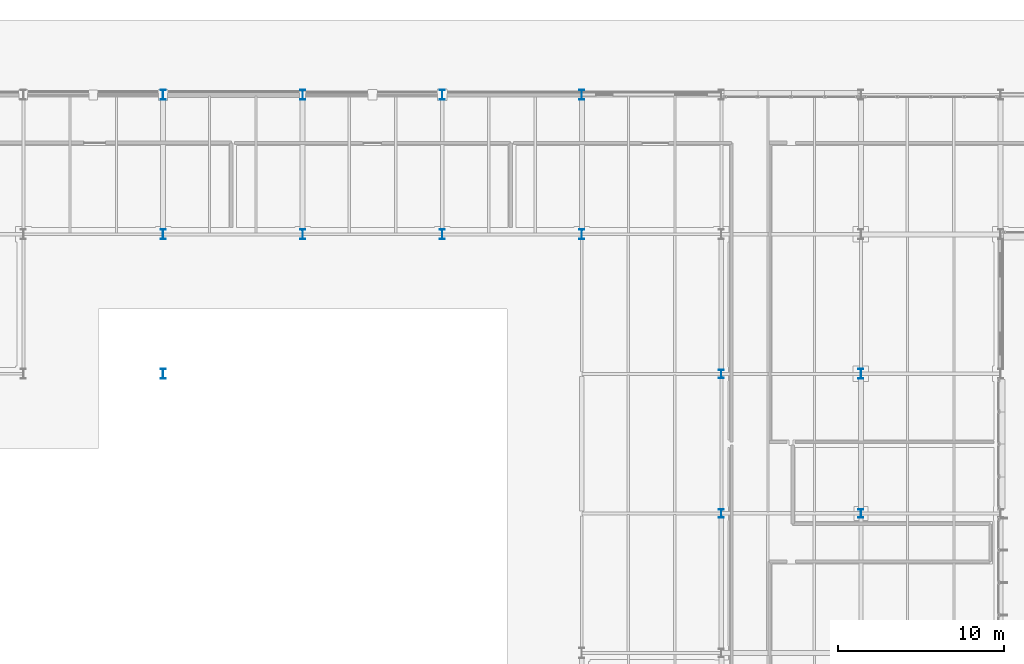
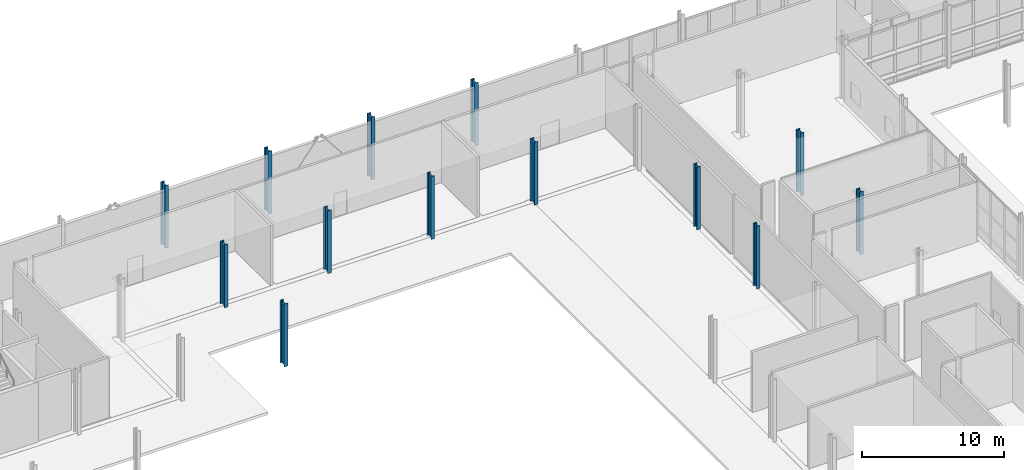
# One storey, part 12 of 124: 13 columns.
"""IFC4 building model written with IfcOpenShell, lengths in metres."""

from ifc_helpers import new_model, si_unit, direction, frame, origin, origin_2d, place, context, subcontext, project, spatial, i_section, extrude, material, material_profile, profile_set, type_object, element, save


model = new_model("IFC4")

# Units and contexts
model_context = context("Model", 3, precision=1e-05, world=origin(), true_north=direction((0.0, 1.0)))
body_context = subcontext(model_context, "Body", "Model", "MODEL_VIEW")
ifc_project = project(units=[si_unit("LENGTHUNIT", "METRE"), si_unit("AREAUNIT", "SQUARE_METRE"), si_unit("VOLUMEUNIT", "CUBIC_METRE"), si_unit("PLANEANGLEUNIT", "RADIAN"), si_unit("MASSUNIT", "GRAM", prefix="KILO")], contexts=[model_context])

# Site, building, storey
site_placement = place(None, origin())
site = spatial("IfcSite", under=ifc_project, at=site_placement, CompositionType="ELEMENT")
building_placement = place(site_placement, origin())
building = spatial("IfcBuilding", under=site, at=building_placement, Name="Mersafa Astral City Hall", CompositionType="ELEMENT")
storey_placement = place(building_placement, origin())
storey = spatial("IfcBuildingStorey", under=building, at=storey_placement, Name="L00", CompositionType="ELEMENT", Elevation=0.0)

# Columns
ifc_material = material(Name="Steel S355", Category="steel")
ifc_material_profile_1 = material_profile(ifc_material, i_section(OverallWidth=0.300048828125, OverallDepth=0.5, WebThickness=0.014404296875, FlangeThickness=0.028076171875, FilletRadius=0.027099609375, at=origin_2d()), Name="HEB 500")
ifc_profile_set_1 = profile_set([ifc_material_profile_1], Name="Steel S355")
column_type_1 = type_object("IfcColumnType", Name="STR-COL-HEB500", PredefinedType="COLUMN", material=ifc_profile_set_1)
for number, where, z_axis, x_axis, name in (
    (1, (100.800048828125, 100.800048828125, 0.0), (0.0, 0.0, 1.0), (1.0, 0.0, 0.0), "L00 Structural column G-12-12"),
    (2, (100.800048828125, 109.199951171875, 0.0), (0.0, 0.0, 1.0), (1.0, 0.0, 0.0), "L00 Structural column G-12-13"),
    (3, (109.199951171875, 100.800048828125, 0.0), (0.0, 0.0, 1.0), (1.0, 0.0, 0.0), "L00 Structural column G-13-12"),
):
    element("IfcColumn", number, at=place(storey_placement, frame(where, z_axis=z_axis, x_axis=x_axis)), inside=storey, type_object=column_type_1, Name=name, PredefinedType="COLUMN", context=body_context, shape_type="SweptSolid", body=[
        extrude(i_section(OverallWidth=0.300048828125, OverallDepth=0.5, WebThickness=0.014404296875, FlangeThickness=0.028076171875, FilletRadius=0.027099609375, at=origin_2d()), origin(), (0.0, 0.0, 1.0), 5.39990234375),
    ])
ifc_material_profile_2 = material_profile(ifc_material, i_section(OverallWidth=0.300048828125, OverallDepth=0.60009765625, WebThickness=0.015380859375, FlangeThickness=0.030029296875, FilletRadius=0.027099609375, at=origin_2d()), Name="HEB 600")
ifc_profile_set_2 = profile_set([ifc_material_profile_2], Name="Steel S355")
column_type_2 = type_object("IfcColumnType", Name="STR-COL-HEB600", PredefinedType="COLUMN", material=ifc_profile_set_2)
for number, where, z_axis, x_axis, name in (
    (4, (67.199951171875, 109.199951171875, 0.0), (0.0, 0.0, 1.0), (1.0, 0.0, 0.0), "L00 Structural column G-08-13"),
    (5, (67.199951171875, 117.60009765625, 0.0), (0.0, 0.0, 1.0), (1.0, 0.0, 0.0), "L00 Structural column G-08-14"),
    (6, (67.199951171875, 126.0, 0.0), (0.0, 0.0, 1.0), (1.0, 0.0, 0.0), "L00 Structural column G-08-15"),
    (7, (75.60009765625, 117.60009765625, 0.0), (0.0, 0.0, 1.0), (1.0, 0.0, 0.0), "L00 Structural column G-09-14"),
    (8, (75.60009765625, 126.0, 0.0), (0.0, 0.0, 1.0), (1.0, 0.0, 0.0), "L00 Structural column G-09-15"),
    (9, (84.0, 117.60009765625, 0.0), (0.0, 0.0, 1.0), (1.0, 0.0, 0.0), "L00 Structural column G-10-14"),
    (10, (84.0, 126.0, 0.0), (0.0, 0.0, 1.0), (1.0, 0.0, 0.0), "L00 Structural column G-10-15"),
    (11, (92.39990234375, 117.60009765625, 0.0), (0.0, 0.0, 1.0), (1.0, 0.0, 0.0), "L00 Structural column G-11-14"),
    (12, (92.39990234375, 126.0, 0.0), (0.0, 0.0, 1.0), (1.0, 0.0, 0.0), "L00 Structural column G-11-15"),
    (13, (109.199951171875, 109.199951171875, 0.0), (0.0, 0.0, 1.0), (1.0, 0.0, 0.0), "L00 Structural column G-13-13"),
):
    element("IfcColumn", number, at=place(storey_placement, frame(where, z_axis=z_axis, x_axis=x_axis)), inside=storey, type_object=column_type_2, Name=name, PredefinedType="COLUMN", context=body_context, shape_type="SweptSolid", body=[
        extrude(i_section(OverallWidth=0.300048828125, OverallDepth=0.60009765625, WebThickness=0.015380859375, FlangeThickness=0.030029296875, FilletRadius=0.027099609375, at=origin_2d()), origin(), (0.0, 0.0, 1.0), 5.39990234375),
    ])

save(model, "model.ifc")
